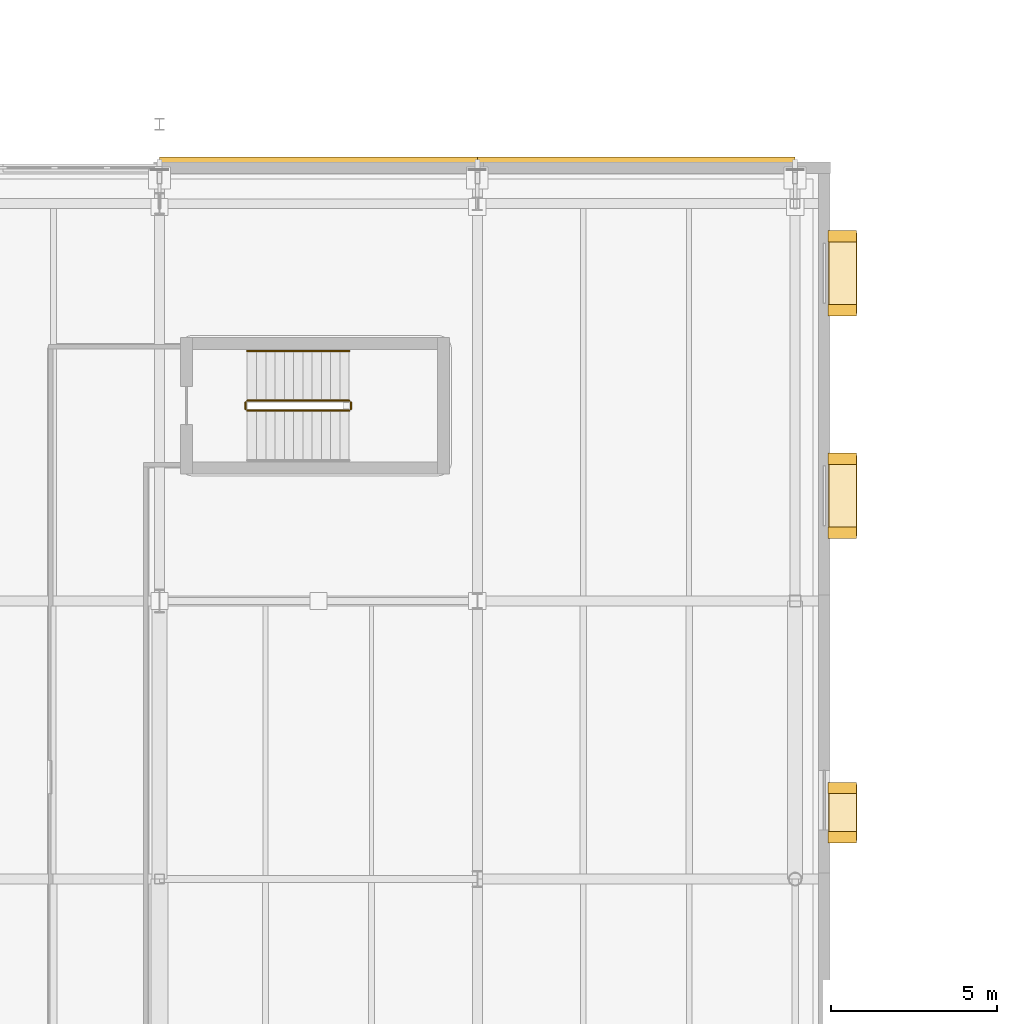
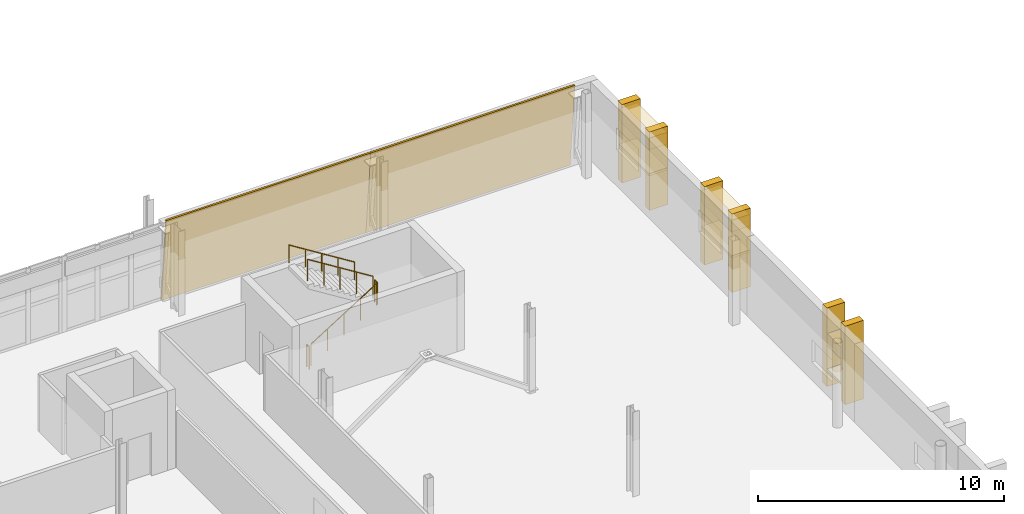
# One storey, part 55 of 57: 14 coverings, 5 railings.
"""IFC4 building model written with IfcOpenShell, lengths in metres."""

from ifc_helpers import new_model, si_unit, direction, frame, origin, origin_2d, place, context, subcontext, project, spatial, polyline, rectangle, circle, outline, extrude, material, layer, layer_set, type_object, element, save


model = new_model("IFC4")

# Units and contexts
model_context = context("Model", 3, precision=1e-05, world=origin(), true_north=direction((0.0, 1.0)))
body_context = subcontext(model_context, "Body", "Model", "MODEL_VIEW")
ifc_project = project(units=[si_unit("LENGTHUNIT", "METRE"), si_unit("AREAUNIT", "SQUARE_METRE"), si_unit("VOLUMEUNIT", "CUBIC_METRE"), si_unit("PLANEANGLEUNIT", "RADIAN"), si_unit("MASSUNIT", "GRAM", prefix="KILO")], contexts=[model_context])

# Site, building, storey
site_placement = place(None, origin())
site = spatial("IfcSite", under=ifc_project, at=site_placement, CompositionType="ELEMENT")
building_placement = place(site_placement, origin())
building = spatial("IfcBuilding", under=site, at=building_placement, Name="Zereglee Splitstone Museum", CompositionType="ELEMENT")
storey_placement = place(building_placement, frame((0.0, 0.0, 17.10009765625)))
storey = spatial("IfcBuildingStorey", under=building, at=storey_placement, Name="L03", CompositionType="ELEMENT", Elevation=17.10009765625)

# Coverings
ifc_material_1 = material(Name="Honed Gobi pale limestone stringcourse and soffit cladding", Category="masonry")
ifc_layer_1 = layer(ifc_material_1, 0.070068359375)
ifc_layer_set_1 = layer_set([ifc_layer_1], Name="Honed Gobi pale limestone stringcourse and soffit cladding")
covering_type_1 = type_object("IfcCoveringType", Name="CL-02", PredefinedType="CLADDING", material=ifc_layer_set_1)
for number, where, z_axis, x_axis, name in (
    (1, (146.625, 31.264892578125, 0.0), (0.0, 0.0, 1.0), (0.0, 1.0, 0.0), "Mughal Window Reveal Stone Pilaster L03-0133L"),
    (2, (146.625, 32.7548828125, 0.0), (0.0, 0.0, 1.0), (0.0, 1.0, 0.0), "Mughal Window Reveal Stone Pilaster L03-0133R"),
):
    element("IfcCovering", number, at=place(storey_placement, frame(where, z_axis=z_axis, x_axis=x_axis)), inside=storey, type_object=covering_type_1, Name=name, PredefinedType="CLADDING", context=body_context, shape_type="SweptSolid", body=[
        extrude(rectangle(XDim=0.340087890625, YDim=0.860107421875, at=origin_2d()), origin(), (0.0, 0.0, 1.0), 3.89990234375),
    ])
covering_1_placement = place(storey_placement, frame((146.635009765625, 32.010009765625, 0.759765625), z_axis=(0.0, 0.0, 1.0), x_axis=(0.0, 1.0, 0.0)))
element("IfcCovering", 3, at=covering_1_placement, inside=storey, type_object=covering_type_1, Name="Carved Limestone Window Sill L03-0133", PredefinedType="CLADDING", context=body_context, shape_type="SweptSolid", body=[
    extrude(rectangle(XDim=1.68994140625, YDim=0.840087890625, at=origin_2d()), origin(), (0.0, 0.0, 1.0), 0.1201171875),
])
for number, where, z_axis, x_axis, name in (
    (4, (146.625, 40.4599609375, 0.0), (0.0, 0.0, 1.0), (0.0, 1.0, 0.0), "Mughal Window Reveal Stone Pilaster L03-0134L"),
    (5, (146.625, 42.699951171875, 0.0), (0.0, 0.0, 1.0), (0.0, 1.0, 0.0), "Mughal Window Reveal Stone Pilaster L03-0134R"),
):
    element("IfcCovering", number, at=place(storey_placement, frame(where, z_axis=z_axis, x_axis=x_axis)), inside=storey, type_object=covering_type_1, Name=name, PredefinedType="CLADDING", context=body_context, shape_type="SweptSolid", body=[
        extrude(rectangle(XDim=0.340087890625, YDim=0.860107421875, at=origin_2d()), origin(), (0.0, 0.0, 1.0), 3.89990234375),
    ])
covering_2_placement = place(storey_placement, frame((146.635009765625, 41.580078125, 1.659912109375), z_axis=(0.0, 0.0, 1.0), x_axis=(0.0, 1.0, 0.0)))
element("IfcCovering", 6, at=covering_2_placement, inside=storey, type_object=covering_type_1, Name="Carved Limestone Window Sill L03-0134", PredefinedType="CLADDING", context=body_context, shape_type="SweptSolid", body=[
    extrude(rectangle(XDim=2.43994140625, YDim=0.840087890625, at=origin_2d()), origin(), (0.0, 0.0, 1.0), 0.1201171875),
])
for number, where, z_axis, x_axis, name in (
    (7, (146.625, 47.179931640625, 0.0), (0.0, 0.0, 1.0), (0.0, 1.0, 0.0), "Mughal Window Reveal Stone Pilaster L03-0135L"),
    (8, (146.625, 49.419921875, 0.0), (0.0, 0.0, 1.0), (0.0, 1.0, 0.0), "Mughal Window Reveal Stone Pilaster L03-0135R"),
):
    element("IfcCovering", number, at=place(storey_placement, frame(where, z_axis=z_axis, x_axis=x_axis)), inside=storey, type_object=covering_type_1, Name=name, PredefinedType="CLADDING", context=body_context, shape_type="SweptSolid", body=[
        extrude(rectangle(XDim=0.340087890625, YDim=0.860107421875, at=origin_2d()), origin(), (0.0, 0.0, 1.0), 3.89990234375),
    ])
covering_3_placement = place(storey_placement, frame((146.635009765625, 48.300048828125, 1.659912109375), z_axis=(0.0, 0.0, 1.0), x_axis=(0.0, 1.0, 0.0)))
element("IfcCovering", 9, at=covering_3_placement, inside=storey, type_object=covering_type_1, Name="Carved Limestone Window Sill L03-0135", PredefinedType="CLADDING", context=body_context, shape_type="SweptSolid", body=[
    extrude(rectangle(XDim=2.43994140625, YDim=0.840087890625, at=origin_2d()), origin(), (0.0, 0.0, 1.0), 0.1201171875),
])
ifc_material_2 = material(Name="Honed Khoroo red sandstone ventilated rainscreen", Category="masonry")
ifc_layer_2 = layer(ifc_material_2, 0.080078125)
ifc_layer_set_2 = layer_set([ifc_layer_2], Name="Honed Khoroo red sandstone ventilated rainscreen")
covering_type_2 = type_object("IfcCoveringType", Name="CL-01", PredefinedType="CLADDING", material=ifc_layer_set_2)
covering_4_placement = place(storey_placement, frame((146.635009765625, 32.010009765625, 2.059814453125), z_axis=(0.0, 0.0, 1.0), x_axis=(0.0, 1.0, 0.0)))
element("IfcCovering", 10, at=covering_4_placement, inside=storey, type_object=covering_type_2, Name="Pointed-Arch Mughal Window Hood L03-0133", PredefinedType="CLADDING", context=body_context, shape_type="SweptSolid", body=[
    extrude(rectangle(XDim=1.68994140625, YDim=0.860107421875, at=origin_2d()), origin(), (0.0, 0.0, 1.0), 0.580078125),
])
for number, where, z_axis, x_axis, name in (
    (11, (146.635009765625, 41.580078125, 2.9599609375), (0.0, 0.0, 1.0), (0.0, 1.0, 0.0), "Pointed-Arch Mughal Window Hood L03-0134"),
    (12, (146.635009765625, 48.300048828125, 2.9599609375), (0.0, 0.0, 1.0), (0.0, 1.0, 0.0), "Pointed-Arch Mughal Window Hood L03-0135"),
):
    element("IfcCovering", number, at=place(storey_placement, frame(where, z_axis=z_axis, x_axis=x_axis)), inside=storey, type_object=covering_type_2, Name=name, PredefinedType="CLADDING", context=body_context, shape_type="SweptSolid", body=[
        extrude(rectangle(XDim=2.43994140625, YDim=0.860107421875, at=origin_2d()), origin(), (0.0, 0.0, 1.0), 0.580078125),
    ])
covering_5_placement = place(storey_placement, frame((126.0, 51.423095703125, 3.949951171875), z_axis=(0.0, 0.995861353668, 0.090885445868), x_axis=(1.0, 0.0, 0.0)))
element("IfcCovering", 13, at=covering_5_placement, inside=storey, type_object=covering_type_2, Name="Split-Rock Continuous Inclined Facet FH-V2NE L03.1", PredefinedType="CLADDING", context=body_context, shape_type="SweptSolid", body=[
    extrude(outline(polyline([(0.0, 0.0), (9.60009765625, 0.0), (9.60009765625, 4.2174055217682165), (0.0, 4.2174055217682165), (0.0, 0.0)])), origin(), (0.0, 0.0, -1.0), 0.080078125),
])
covering_6_placement = place(storey_placement, frame((135.60009765625, 51.423095703125, 3.949951171875), z_axis=(0.0, 0.995861353668, 0.090885445868), x_axis=(1.0, 0.0, 0.0)))
element("IfcCovering", 14, at=covering_6_placement, inside=storey, type_object=covering_type_2, Name="Split-Rock Continuous Inclined Facet FH-V2NE L03.2", PredefinedType="CLADDING", context=body_context, shape_type="SweptSolid", body=[
    extrude(outline(polyline([(0.0, 0.0), (9.599853515625, 0.0), (9.599853515625, 4.217405521768217), (0.0, 4.217405521768217), (0.0, 0.0)])), origin(), (0.0, 0.0, -1.0), 0.080078125),
])

# Railings
ifc_material_3 = material(Name="Painted steel S355J2 post-and-baluster guard", Category="steel")
railing_type_1 = type_object("IfcRailingType", Name="GR-03", PredefinedType="BALUSTRADE", material=ifc_material_3)
railing_1_placement = place(storey_placement, frame((128.64990234375, 44.14990234375, 0.1748046875)))
element("IfcRailing", 15, at=railing_1_placement, inside=storey, type_object=railing_type_1, Name="L03 ST-03 stair guard 1", PredefinedType="BALUSTRADE", context=body_context, shape_type="SweptSolid", body=[
    extrude(circle(Radius=0.02392578125, at=origin_2d()), frame((0.0, 0.0, 1.076416015625), z_axis=(0.847998304005, 0.0, 0.529998940003), x_axis=(0.0, 1.0, 0.0)), (0.0, 0.0, 1.0), 3.632080078125),
    extrude(circle(Radius=0.02099609375, at=origin_2d()), origin(), (0.0, 0.0, 1.0), 1.052001953125),
    extrude(circle(Radius=0.02099609375, at=origin_2d()), frame((0.77001953125, 0.0, 0.481201171875)), (0.0, 0.0, 1.0), 1.052001953125),
    extrude(circle(Radius=0.02099609375, at=origin_2d()), frame((1.5400390625, 0.0, 0.96240234375)), (0.0, 0.0, 1.0), 1.052001953125),
    extrude(circle(Radius=0.02099609375, at=origin_2d()), frame((2.31005859375, 0.0, 1.44384765625)), (0.0, 0.0, 1.0), 1.052001953125),
    extrude(circle(Radius=0.02099609375, at=origin_2d()), frame((3.080078125, 0.0, 1.925048828125)), (0.0, 0.0, 1.0), 1.052001953125),
])
railing_2_placement = place(storey_placement, frame((131.780029296875, 44.199951171875, 2.099853515625)))
element("IfcRailing", 16, at=railing_2_placement, inside=storey, type_object=railing_type_1, Name="L03 ST-03 stair guard 2", PredefinedType="BALUSTRADE", context=body_context, shape_type="SweptSolid", body=[
    extrude(circle(Radius=0.02392578125, at=origin_2d()), frame((0.0, 0.0, 1.076416015625), z_axis=(0.0, 1.0, 0.0), x_axis=(-1.0, 0.0, 0.0)), (0.0, 0.0, 1.0), 0.199951171875),
    extrude(circle(Radius=0.02099609375, at=origin_2d()), origin(), (0.0, 0.0, 1.0), 1.052001953125),
    extrude(circle(Radius=0.02099609375, at=origin_2d()), frame((0.0, 0.199951171875, 0.0)), (0.0, 0.0, 1.0), 1.052001953125),
])
railing_3_placement = place(storey_placement, frame((131.72998046875, 44.449951171875, 2.27490234375)))
element("IfcRailing", 17, at=railing_3_placement, inside=storey, type_object=railing_type_1, Name="L03 ST-03 stair guard 3", PredefinedType="BALUSTRADE", context=body_context, shape_type="SweptSolid", body=[
    extrude(circle(Radius=0.02392578125, at=origin_2d()), frame((0.0, 0.0, 1.076416015625), z_axis=(-0.847998304005, 0.0, 0.529998940003), x_axis=(0.0, -1.0, 0.0)), (0.0, 0.0, 1.0), 3.632080078125),
    extrude(circle(Radius=0.02099609375, at=origin_2d()), origin(), (0.0, 0.0, 1.0), 1.052001953125),
    extrude(circle(Radius=0.02099609375, at=origin_2d()), frame((-0.77001953125, 0.0, 0.481201171875)), (0.0, 0.0, 1.0), 1.052001953125),
    extrude(circle(Radius=0.02099609375, at=origin_2d()), frame((-1.5400390625, 0.0, 0.96240234375)), (0.0, 0.0, 1.0), 1.052001953125),
    extrude(circle(Radius=0.02099609375, at=origin_2d()), frame((-2.31005859375, 0.0, 1.44384765625)), (0.0, 0.0, 1.0), 1.052001953125),
    extrude(circle(Radius=0.02099609375, at=origin_2d()), frame((-3.080078125, 0.0, 1.925048828125)), (0.0, 0.0, 1.0), 1.052001953125),
])
railing_4_placement = place(storey_placement, frame((128.60009765625, 44.199951171875, 0.0)))
element("IfcRailing", 18, at=railing_4_placement, inside=storey, type_object=railing_type_1, Name="L03 ST-03 stair guard 4", PredefinedType="BALUSTRADE", context=body_context, shape_type="SweptSolid", body=[
    extrude(circle(Radius=0.02392578125, at=origin_2d()), frame((0.0, 0.0, 1.076416015625), z_axis=(0.0, 1.0, 0.0), x_axis=(-1.0, 0.0, 0.0)), (0.0, 0.0, 1.0), 0.199951171875),
    extrude(circle(Radius=0.02099609375, at=origin_2d()), origin(), (0.0, 0.0, 1.0), 1.052001953125),
    extrude(circle(Radius=0.02099609375, at=origin_2d()), frame((0.0, 0.199951171875, 0.0)), (0.0, 0.0, 1.0), 1.052001953125),
])
ifc_material_4 = material(Name="Architectural bronze tubular handrail", Category="steel")
railing_type_2 = type_object("IfcRailingType", Name="HR-01", PredefinedType="HANDRAIL", material=ifc_material_4)
railing_5_placement = place(storey_placement, frame((131.72998046875, 45.949951171875, 2.27490234375)))
element("IfcRailing", 19, at=railing_5_placement, inside=storey, type_object=railing_type_2, Name="L03 ST-03 stair handrail 2", PredefinedType="HANDRAIL", context=body_context, shape_type="SweptSolid", body=[
    extrude(circle(Radius=0.02392578125, at=origin_2d()), frame((0.0, 0.0, 0.8759765625), z_axis=(-0.847998304005, 0.0, 0.529998940003), x_axis=(0.0, -1.0, 0.0)), (0.0, 0.0, 1.0), 3.632080078125),
    extrude(circle(Radius=0.02099609375, at=origin_2d()), origin(), (0.0, 0.0, 1.0), 0.851806640625),
    extrude(circle(Radius=0.02099609375, at=origin_2d()), frame((-0.77001953125, 0.0, 0.481201171875)), (0.0, 0.0, 1.0), 0.851806640625),
    extrude(circle(Radius=0.02099609375, at=origin_2d()), frame((-1.5400390625, 0.0, 0.96240234375)), (0.0, 0.0, 1.0), 0.851806640625),
    extrude(circle(Radius=0.02099609375, at=origin_2d()), frame((-2.31005859375, 0.0, 1.44384765625)), (0.0, 0.0, 1.0), 0.851806640625),
    extrude(circle(Radius=0.02099609375, at=origin_2d()), frame((-3.080078125, 0.0, 1.925048828125)), (0.0, 0.0, 1.0), 0.851806640625),
])

save(model, "model.ifc")
